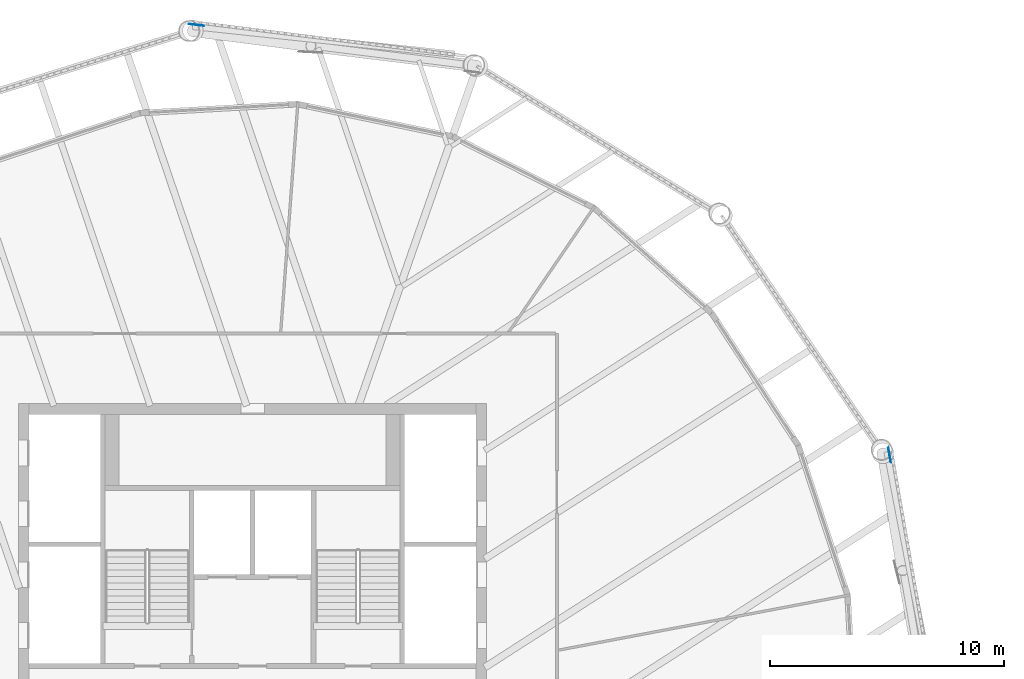
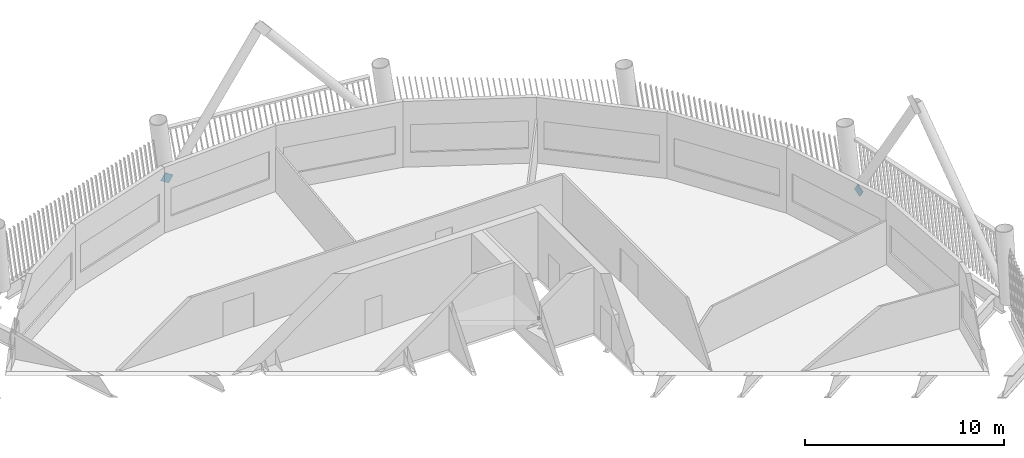
# One storey, part 27 of 35: 2 discrete accessories.
"""IFC4 building model written with IfcOpenShell, lengths in metres."""

from ifc_helpers import new_model, si_unit, direction, frame, origin, origin_2d, place, context, subcontext, project, spatial, rectangle, extrude, material, material_profile, profile_set, type_object, element, save


model = new_model("IFC4")

# Units and contexts
model_context = context("Model", 3, precision=1e-05, world=origin(), true_north=direction((0.0, 1.0)))
body_context = subcontext(model_context, "Body", "Model", "MODEL_VIEW")
ifc_project = project(units=[si_unit("LENGTHUNIT", "METRE"), si_unit("AREAUNIT", "SQUARE_METRE"), si_unit("VOLUMEUNIT", "CUBIC_METRE"), si_unit("PLANEANGLEUNIT", "RADIAN"), si_unit("MASSUNIT", "GRAM", prefix="KILO")], contexts=[model_context])

# Site, building, storey
site_placement = place(None, origin())
site = spatial("IfcSite", under=ifc_project, at=site_placement, CompositionType="ELEMENT")
building_placement = place(site_placement, origin())
building = spatial("IfcBuilding", under=site, at=building_placement, Name="Tarsis Ring Headquarters", CompositionType="ELEMENT")
storey_placement = place(building_placement, frame((0.0, 0.0, 360.800048828125)))
storey = spatial("IfcBuildingStorey", under=building, at=storey_placement, Name="L85", CompositionType="ELEMENT", Elevation=360.800048828125)

# Discrete accessories
ifc_material = material(Name="Structural steel S355", Category="steel")
ifc_material_profile = material_profile(ifc_material, rectangle(XDim=0.02490234375, YDim=0.5, at=origin_2d()), Name="PL 25x500")
ifc_profile_set = profile_set([ifc_material_profile], Name="Structural steel S355")
discrete_accessory_type = type_object("IfcDiscreteAccessoryType", Name="Gusset plate Exo brace 25", PredefinedType="BRACKET", material=ifc_profile_set)
for number, where, z_axis, x_axis, name in (
    (1, (27.189453125, 10.94287109375, 0.0), (0.086918310807, -0.511255457385, 0.855022259676), (0.98585429087, 0.167604645439, 0.0), "Gusset plate GP5"),
    (2, (-2.529296875, 29.199462890625, 0.0), (0.514237954298, -0.065927942859, 0.855109836635), (0.127164315985, 0.991881664686, 0.0), "Gusset plate GP5"),
):
    element("IfcDiscreteAccessory", number, at=place(storey_placement, frame(where, z_axis=z_axis, x_axis=x_axis)), inside=storey, type_object=discrete_accessory_type, Name=name, PredefinedType="BRACKET", context=body_context, shape_type="SweptSolid", body=[
        extrude(rectangle(XDim=0.02490234375, YDim=0.5, at=origin_2d()), origin(), (0.0, 0.0, 1.0), 0.5),
    ])

save(model, "model.ifc")
